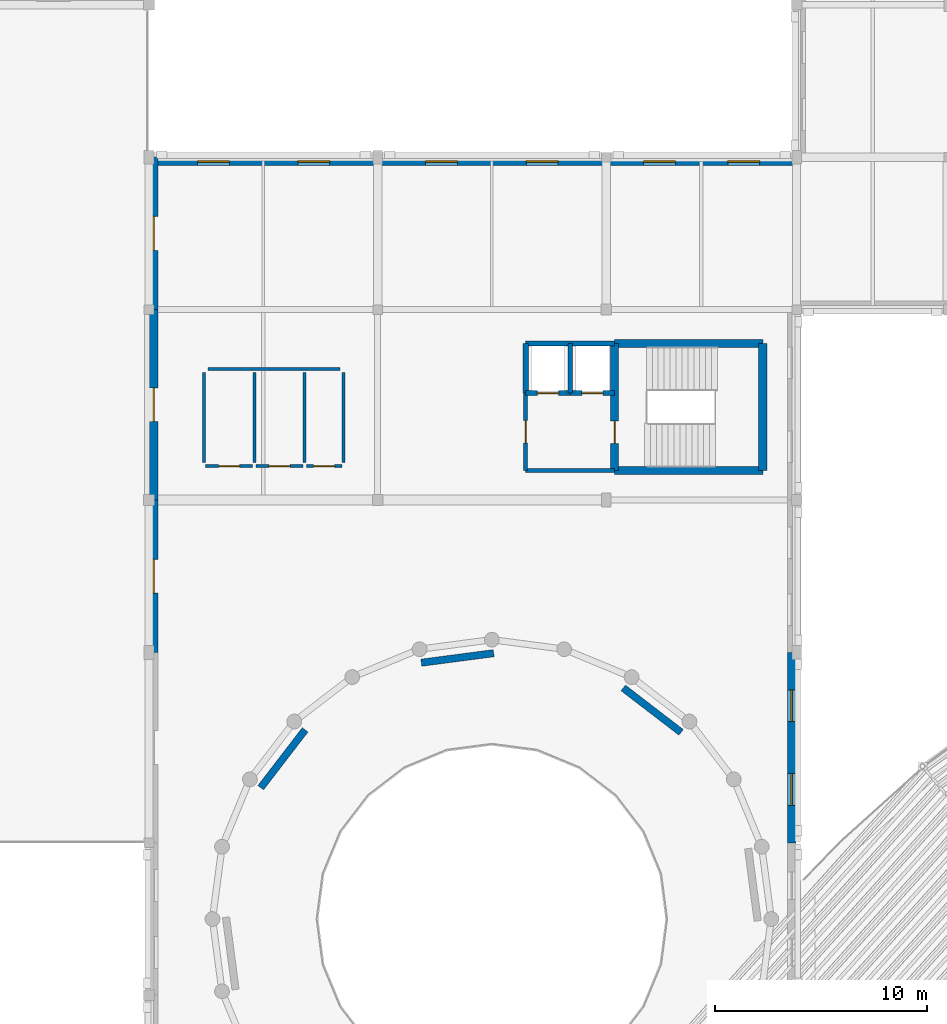
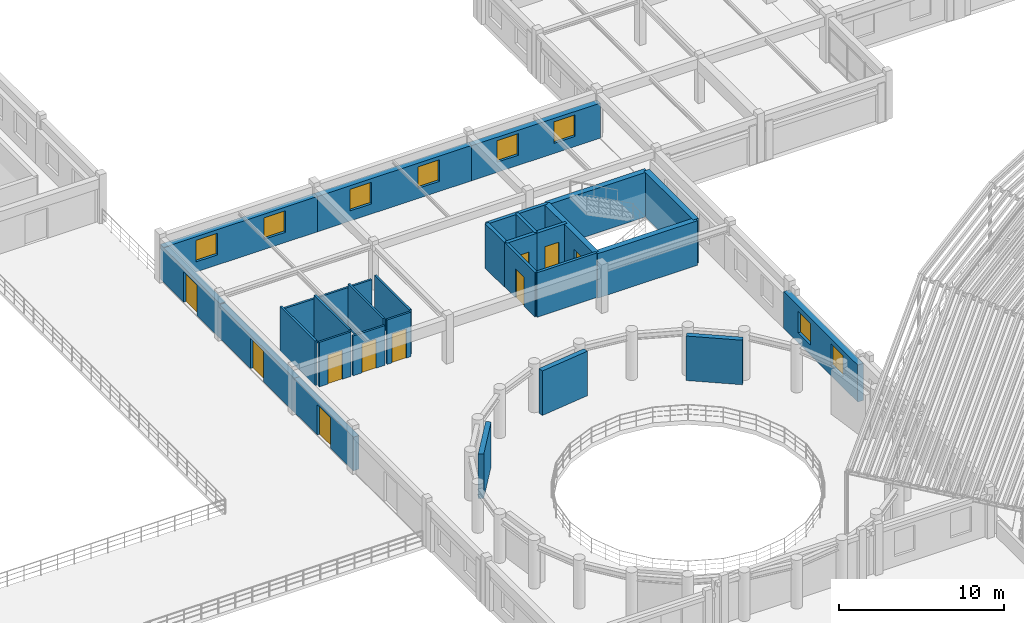
# One storey, part 52 of 74: 29 walls, 10 doors, 8 windows, 18 openings.
"""IFC4 building model written with IfcOpenShell, lengths in metres."""

from ifc_helpers import new_model, si_unit, direction, frame, frame_2d, origin, place, context, subcontext, project, spatial, rectangle, extrude, material, layer, layer_set, type_object, element, fill, save


model = new_model("IFC4")

# Units and contexts
model_context = context("Model", 3, precision=1e-05, world=origin(), true_north=direction((0.0, 1.0)))
body_context = subcontext(model_context, "Body", "Model", "MODEL_VIEW")
ifc_project = project(units=[si_unit("LENGTHUNIT", "METRE"), si_unit("AREAUNIT", "SQUARE_METRE"), si_unit("VOLUMEUNIT", "CUBIC_METRE"), si_unit("PLANEANGLEUNIT", "RADIAN"), si_unit("MASSUNIT", "GRAM", prefix="KILO")], contexts=[model_context])

# Site, building, storey
site_placement = place(None, origin())
site = spatial("IfcSite", under=ifc_project, at=site_placement, CompositionType="ELEMENT")
building_placement = place(site_placement, origin())
building = spatial("IfcBuilding", under=site, at=building_placement, Name="Clarverna Civic Hall", CompositionType="ELEMENT")
storey_placement = place(building_placement, frame((0.0, 0.0, 13.199951171875)))
storey = spatial("IfcBuildingStorey", under=building, at=storey_placement, Name="L03", CompositionType="ELEMENT", Elevation=13.199951171875)

# Wall, openings, windows
ifc_material_1 = material(Name="Montjuic Limestone Ashlar Cladding", Category="masonry")
ifc_layer_1 = layer(ifc_material_1, 0.39990234375)
ifc_layer_set_1 = layer_set([ifc_layer_1], Name="Montjuic Limestone Ashlar Cladding")
wall_type_1 = type_object("IfcWallType", Name="EW-02", PredefinedType="SOLIDWALL", material=ifc_layer_set_1)
wall_1_placement = place(storey_placement, frame((96.97509765625, 71.60009765625, 0.0), z_axis=(0.0, 0.0, 1.0), x_axis=(0.0, -1.0, 0.0)))
wall_1 = element("IfcWall", 1, at=wall_1_placement, inside=storey, type_object=wall_type_1, Name="EW-02-162", PredefinedType="SOLIDWALL", context=body_context, shape_type="SweptSolid", body=[
    extrude(rectangle(XDim=9.0, YDim=0.39990234375, at=frame_2d((4.5, 0.0))), origin(), (0.0, 0.0, 1.0), 2.739990234375),
])
opening_1_placement = place(wall_1_placement, frame((1.77001953125, 0.0, 0.75)))
opening_1 = element("IfcOpeningElement", 2, at=opening_1_placement, cuts=wall_1, Name="Opening WN-14", PredefinedType="OPENING", context=body_context, shape_type="SweptSolid", body=[
    extrude(rectangle(XDim=1.5, YDim=1.60009765625, at=frame_2d((0.75, 0.800048828125))), frame((0.0, 0.2099609375, 0.0), z_axis=(0.0, -1.0, 0.0), x_axis=(1.0, 0.0, 0.0)), (0.0, 0.0, 1.0), 0.419921875),
])
opening_2_placement = place(wall_1_placement, frame((5.72998046875, 0.0, 0.75)))
opening_2 = element("IfcOpeningElement", 3, at=opening_2_placement, cuts=wall_1, Name="Opening WN-14", PredefinedType="OPENING", context=body_context, shape_type="SweptSolid", body=[
    extrude(rectangle(XDim=1.5, YDim=1.60009765625, at=frame_2d((0.75, 0.800048828125))), frame((0.0, 0.2099609375, 0.0), z_axis=(0.0, -1.0, 0.0), x_axis=(1.0, 0.0, 0.0)), (0.0, 0.0, 1.0), 0.419921875),
])
ifc_material_2 = material(Name="Solar-Control Argon Low-E Double Glazing", Category="glass")
window_type = type_object("IfcWindowType", Name="WN-14", PartitioningType="DOUBLE_PANEL_HORIZONTAL", PredefinedType="WINDOW", material=ifc_material_2)
window_1_placement = place(opening_1_placement, origin())
window_1 = element("IfcWindow", 4, at=window_1_placement, inside=storey, type_object=window_type, Name="WN-14-142", OverallHeight=1.60009765625, OverallWidth=1.5, PartitioningType="DOUBLE_PANEL_HORIZONTAL", PredefinedType="WINDOW", context=body_context, shape_type="SweptSolid", body=[
    extrude(rectangle(XDim=1.5, YDim=1.60009765625, at=frame_2d((0.75, 0.800048828125))), frame((0.0, 0.030029296875, 0.0), z_axis=(0.0, -1.0, 0.0), x_axis=(1.0, 0.0, 0.0)), (0.0, 0.0, 1.0), 0.06005859375),
])
fill(opening_1, window_1)
window_2_placement = place(opening_2_placement, origin())
window_2 = element("IfcWindow", 5, at=window_2_placement, inside=storey, type_object=window_type, Name="WN-14-143", OverallHeight=1.60009765625, OverallWidth=1.5, PartitioningType="DOUBLE_PANEL_HORIZONTAL", PredefinedType="WINDOW", context=body_context, shape_type="SweptSolid", body=[
    extrude(rectangle(XDim=1.5, YDim=1.60009765625, at=frame_2d((0.75, 0.800048828125))), frame((0.0, 0.030029296875, 0.0), z_axis=(0.0, -1.0, 0.0), x_axis=(1.0, 0.0, 0.0)), (0.0, 0.0, 1.0), 0.06005859375),
])
fill(opening_2, window_2)

# Wall, opening, door
wall_2_placement = place(storey_placement, frame((66.824951171875, 71.60009765625, 0.0), z_axis=(0.0, 0.0, 1.0), x_axis=(0.0, 1.0, 0.0)))
wall_2 = element("IfcWall", 6, at=wall_2_placement, inside=storey, type_object=wall_type_1, Name="EW-02-171", PredefinedType="SOLIDWALL", context=body_context, shape_type="SweptSolid", body=[
    extrude(rectangle(XDim=7.199951171875, YDim=0.39990234375, at=frame_2d((3.60009765625, 0.0))), origin(), (0.0, 0.0, 1.0), 2.5),
])
opening_3_placement = place(wall_2_placement, frame((2.800048828125, 0.0, 0.0)))
opening_3 = element("IfcOpeningElement", 7, at=opening_3_placement, cuts=wall_2, Name="Opening ED-04", PredefinedType="OPENING", context=body_context, shape_type="SweptSolid", body=[
    extrude(rectangle(XDim=1.60009765625, YDim=2.25, at=frame_2d((0.800048828125, 1.125))), frame((0.0, 0.2099609375, 0.0), z_axis=(0.0, -1.0, 0.0), x_axis=(1.0, 0.0, 0.0)), (0.0, 0.0, 1.0), 0.419921875),
])
ifc_material_3 = material(Name="Anodised Bronze Glazed Door")
door_type_1 = type_object("IfcDoorType", Name="ED-04", OperationType="DOUBLE_DOOR_SINGLE_SWING", PredefinedType="DOOR", material=ifc_material_3)
door_1_placement = place(opening_3_placement, origin())
door_1 = element("IfcDoor", 8, at=door_1_placement, inside=storey, type_object=door_type_1, Name="ED-04-031", OperationType="DOUBLE_DOOR_SINGLE_SWING", OverallHeight=2.25, OverallWidth=1.60009765625, PredefinedType="DOOR", context=body_context, shape_type="SweptSolid", body=[
    extrude(rectangle(XDim=1.60009765625, YDim=2.25, at=frame_2d((0.800048828125, 1.125))), frame((0.0, 0.02490234375, 0.0), z_axis=(0.0, -1.0, 0.0), x_axis=(1.0, 0.0, 0.0)), (0.0, 0.0, 1.0), 0.050048828125),
])
fill(opening_3, door_1)

wall_3_placement = place(storey_placement, frame((66.824951171875, 78.800048828125, 0.0), z_axis=(0.0, 0.0, 1.0), x_axis=(0.0, 1.0, 0.0)))
wall_3 = element("IfcWall", 9, at=wall_3_placement, inside=storey, type_object=wall_type_1, Name="EW-02-172", PredefinedType="SOLIDWALL", context=body_context, shape_type="SweptSolid", body=[
    extrude(rectangle(XDim=9.0, YDim=0.39990234375, at=frame_2d((4.5, 0.0))), origin(), (0.0, 0.0, 1.0), 2.5),
])
opening_4_placement = place(wall_3_placement, frame((3.699951171875, 0.0, 0.0)))
opening_4 = element("IfcOpeningElement", 10, at=opening_4_placement, cuts=wall_3, Name="Opening ED-04", PredefinedType="OPENING", context=body_context, shape_type="SweptSolid", body=[
    extrude(rectangle(XDim=1.60009765625, YDim=2.25, at=frame_2d((0.800048828125, 1.125))), frame((0.0, 0.2099609375, 0.0), z_axis=(0.0, -1.0, 0.0), x_axis=(1.0, 0.0, 0.0)), (0.0, 0.0, 1.0), 0.419921875),
])
door_2_placement = place(opening_4_placement, origin())
door_2 = element("IfcDoor", 11, at=door_2_placement, inside=storey, type_object=door_type_1, Name="ED-04-032", OperationType="DOUBLE_DOOR_SINGLE_SWING", OverallHeight=2.25, OverallWidth=1.60009765625, PredefinedType="DOOR", context=body_context, shape_type="SweptSolid", body=[
    extrude(rectangle(XDim=1.60009765625, YDim=2.25, at=frame_2d((0.800048828125, 1.125))), frame((0.0, 0.02490234375, 0.0), z_axis=(0.0, -1.0, 0.0), x_axis=(1.0, 0.0, 0.0)), (0.0, 0.0, 1.0), 0.050048828125),
])
fill(opening_4, door_2)

wall_4_placement = place(storey_placement, frame((66.824951171875, 87.800048828125, 0.0), z_axis=(0.0, 0.0, 1.0), x_axis=(0.0, 1.0, 0.0)))
wall_4 = element("IfcWall", 12, at=wall_4_placement, inside=storey, type_object=wall_type_1, Name="EW-02-173", PredefinedType="SOLIDWALL", context=body_context, shape_type="SweptSolid", body=[
    extrude(rectangle(XDim=7.199951171875, YDim=0.39990234375, at=frame_2d((3.60009765625, 0.0))), origin(), (0.0, 0.0, 1.0), 2.580078125),
])
opening_5_placement = place(wall_4_placement, frame((2.800048828125, 0.0, 0.0)))
opening_5 = element("IfcOpeningElement", 13, at=opening_5_placement, cuts=wall_4, Name="Opening ED-04", PredefinedType="OPENING", context=body_context, shape_type="SweptSolid", body=[
    extrude(rectangle(XDim=1.60009765625, YDim=2.25, at=frame_2d((0.800048828125, 1.125))), frame((0.0, 0.2099609375, 0.0), z_axis=(0.0, -1.0, 0.0), x_axis=(1.0, 0.0, 0.0)), (0.0, 0.0, 1.0), 0.419921875),
])
door_3_placement = place(opening_5_placement, origin())
door_3 = element("IfcDoor", 14, at=door_3_placement, inside=storey, type_object=door_type_1, Name="ED-04-033", OperationType="DOUBLE_DOOR_SINGLE_SWING", OverallHeight=2.25, OverallWidth=1.60009765625, PredefinedType="DOOR", context=body_context, shape_type="SweptSolid", body=[
    extrude(rectangle(XDim=1.60009765625, YDim=2.25, at=frame_2d((0.800048828125, 1.125))), frame((0.0, 0.02490234375, 0.0), z_axis=(0.0, -1.0, 0.0), x_axis=(1.0, 0.0, 0.0)), (0.0, 0.0, 1.0), 0.050048828125),
])
fill(opening_5, door_3)

# Wall, openings, windows
wall_5_placement = place(storey_placement, frame((66.625, 94.800048828125, 0.0), z_axis=(0.0, 0.0, 1.0), x_axis=(1.0, 0.0, 0.0)))
wall_5 = element("IfcWall", 15, at=wall_5_placement, inside=storey, type_object=wall_type_1, Name="EW-02-174", PredefinedType="SOLIDWALL", context=body_context, shape_type="SweptSolid", body=[
    extrude(rectangle(XDim=10.77490234375, YDim=0.39990234375, at=frame_2d((5.387451171875, 0.0))), origin(), (0.0, 0.0, 1.0), 2.6201171875),
])
opening_6_placement = place(wall_5_placement, frame((2.26708984375, 0.0, 0.75)))
opening_6 = element("IfcOpeningElement", 16, at=opening_6_placement, cuts=wall_5, Name="Opening WN-14", PredefinedType="OPENING", context=body_context, shape_type="SweptSolid", body=[
    extrude(rectangle(XDim=1.5, YDim=1.60009765625, at=frame_2d((0.75, 0.800048828125))), frame((0.0, 0.2099609375, 0.0), z_axis=(0.0, -1.0, 0.0), x_axis=(1.0, 0.0, 0.0)), (0.0, 0.0, 1.0), 0.419921875),
])
opening_7_placement = place(wall_5_placement, frame((7.008056640625, 0.0, 0.75)))
opening_7 = element("IfcOpeningElement", 17, at=opening_7_placement, cuts=wall_5, Name="Opening WN-14", PredefinedType="OPENING", context=body_context, shape_type="SweptSolid", body=[
    extrude(rectangle(XDim=1.5, YDim=1.60009765625, at=frame_2d((0.75, 0.800048828125))), frame((0.0, 0.2099609375, 0.0), z_axis=(0.0, -1.0, 0.0), x_axis=(1.0, 0.0, 0.0)), (0.0, 0.0, 1.0), 0.419921875),
])
window_3_placement = place(opening_6_placement, origin())
window_3 = element("IfcWindow", 18, at=window_3_placement, inside=storey, type_object=window_type, Name="WN-14-150", OverallHeight=1.60009765625, OverallWidth=1.5, PartitioningType="DOUBLE_PANEL_HORIZONTAL", PredefinedType="WINDOW", context=body_context, shape_type="SweptSolid", body=[
    extrude(rectangle(XDim=1.5, YDim=1.60009765625, at=frame_2d((0.75, 0.800048828125))), frame((0.0, 0.030029296875, 0.0), z_axis=(0.0, -1.0, 0.0), x_axis=(1.0, 0.0, 0.0)), (0.0, 0.0, 1.0), 0.06005859375),
])
fill(opening_6, window_3)
window_4_placement = place(opening_7_placement, origin())
window_4 = element("IfcWindow", 19, at=window_4_placement, inside=storey, type_object=window_type, Name="WN-14-151", OverallHeight=1.60009765625, OverallWidth=1.5, PartitioningType="DOUBLE_PANEL_HORIZONTAL", PredefinedType="WINDOW", context=body_context, shape_type="SweptSolid", body=[
    extrude(rectangle(XDim=1.5, YDim=1.60009765625, at=frame_2d((0.75, 0.800048828125))), frame((0.0, 0.030029296875, 0.0), z_axis=(0.0, -1.0, 0.0), x_axis=(1.0, 0.0, 0.0)), (0.0, 0.0, 1.0), 0.06005859375),
])
fill(opening_7, window_4)

wall_6_placement = place(storey_placement, frame((77.39990234375, 94.800048828125, 0.0), z_axis=(0.0, 0.0, 1.0), x_axis=(1.0, 0.0, 0.0)))
wall_6 = element("IfcWall", 20, at=wall_6_placement, inside=storey, type_object=wall_type_1, Name="EW-02-175", PredefinedType="SOLIDWALL", context=body_context, shape_type="SweptSolid", body=[
    extrude(rectangle(XDim=10.800048828125, YDim=0.39990234375, at=frame_2d((5.39990234375, 0.0))), origin(), (0.0, 0.0, 1.0), 2.6201171875),
])
opening_8_placement = place(wall_6_placement, frame((2.27392578125, 0.0, 0.75)))
opening_8 = element("IfcOpeningElement", 21, at=opening_8_placement, cuts=wall_6, Name="Opening WN-14", PredefinedType="OPENING", context=body_context, shape_type="SweptSolid", body=[
    extrude(rectangle(XDim=1.5, YDim=1.60009765625, at=frame_2d((0.75, 0.800048828125))), frame((0.0, 0.2099609375, 0.0), z_axis=(0.0, -1.0, 0.0), x_axis=(1.0, 0.0, 0.0)), (0.0, 0.0, 1.0), 0.419921875),
])
opening_9_placement = place(wall_6_placement, frame((7.02587890625, 0.0, 0.75)))
opening_9 = element("IfcOpeningElement", 22, at=opening_9_placement, cuts=wall_6, Name="Opening WN-14", PredefinedType="OPENING", context=body_context, shape_type="SweptSolid", body=[
    extrude(rectangle(XDim=1.5, YDim=1.60009765625, at=frame_2d((0.75, 0.800048828125))), frame((0.0, 0.2099609375, 0.0), z_axis=(0.0, -1.0, 0.0), x_axis=(1.0, 0.0, 0.0)), (0.0, 0.0, 1.0), 0.419921875),
])
window_5_placement = place(opening_8_placement, origin())
window_5 = element("IfcWindow", 23, at=window_5_placement, inside=storey, type_object=window_type, Name="WN-14-152", OverallHeight=1.60009765625, OverallWidth=1.5, PartitioningType="DOUBLE_PANEL_HORIZONTAL", PredefinedType="WINDOW", context=body_context, shape_type="SweptSolid", body=[
    extrude(rectangle(XDim=1.5, YDim=1.60009765625, at=frame_2d((0.75, 0.800048828125))), frame((0.0, 0.030029296875, 0.0), z_axis=(0.0, -1.0, 0.0), x_axis=(1.0, 0.0, 0.0)), (0.0, 0.0, 1.0), 0.06005859375),
])
fill(opening_8, window_5)
window_6_placement = place(opening_9_placement, origin())
window_6 = element("IfcWindow", 24, at=window_6_placement, inside=storey, type_object=window_type, Name="WN-14-153", OverallHeight=1.60009765625, OverallWidth=1.5, PartitioningType="DOUBLE_PANEL_HORIZONTAL", PredefinedType="WINDOW", context=body_context, shape_type="SweptSolid", body=[
    extrude(rectangle(XDim=1.5, YDim=1.60009765625, at=frame_2d((0.75, 0.800048828125))), frame((0.0, 0.030029296875, 0.0), z_axis=(0.0, -1.0, 0.0), x_axis=(1.0, 0.0, 0.0)), (0.0, 0.0, 1.0), 0.06005859375),
])
fill(opening_9, window_6)

wall_7_placement = place(storey_placement, frame((88.199951171875, 94.800048828125, 0.0), z_axis=(0.0, 0.0, 1.0), x_axis=(1.0, 0.0, 0.0)))
wall_7 = element("IfcWall", 25, at=wall_7_placement, inside=storey, type_object=wall_type_1, Name="EW-02-176", PredefinedType="SOLIDWALL", context=body_context, shape_type="SweptSolid", body=[
    extrude(rectangle(XDim=9.025146484375, YDim=0.39990234375, at=frame_2d((4.5126953125, 0.0))), origin(), (0.0, 0.0, 1.0), 2.60009765625),
])
opening_10_placement = place(wall_7_placement, frame((1.777099609375, 0.0, 0.75)))
opening_10 = element("IfcOpeningElement", 26, at=opening_10_placement, cuts=wall_7, Name="Opening WN-14", PredefinedType="OPENING", context=body_context, shape_type="SweptSolid", body=[
    extrude(rectangle(XDim=1.5, YDim=1.60009765625, at=frame_2d((0.75, 0.800048828125))), frame((0.0, 0.2099609375, 0.0), z_axis=(0.0, -1.0, 0.0), x_axis=(1.0, 0.0, 0.0)), (0.0, 0.0, 1.0), 0.419921875),
])
opening_11_placement = place(wall_7_placement, frame((5.748046875, 0.0, 0.75)))
opening_11 = element("IfcOpeningElement", 27, at=opening_11_placement, cuts=wall_7, Name="Opening WN-14", PredefinedType="OPENING", context=body_context, shape_type="SweptSolid", body=[
    extrude(rectangle(XDim=1.5, YDim=1.60009765625, at=frame_2d((0.75, 0.800048828125))), frame((0.0, 0.2099609375, 0.0), z_axis=(0.0, -1.0, 0.0), x_axis=(1.0, 0.0, 0.0)), (0.0, 0.0, 1.0), 0.419921875),
])
window_7_placement = place(opening_10_placement, origin())
window_7 = element("IfcWindow", 28, at=window_7_placement, inside=storey, type_object=window_type, Name="WN-14-154", OverallHeight=1.60009765625, OverallWidth=1.5, PartitioningType="DOUBLE_PANEL_HORIZONTAL", PredefinedType="WINDOW", context=body_context, shape_type="SweptSolid", body=[
    extrude(rectangle(XDim=1.5, YDim=1.60009765625, at=frame_2d((0.75, 0.800048828125))), frame((0.0, 0.030029296875, 0.0), z_axis=(0.0, -1.0, 0.0), x_axis=(1.0, 0.0, 0.0)), (0.0, 0.0, 1.0), 0.06005859375),
])
fill(opening_10, window_7)
window_8_placement = place(opening_11_placement, origin())
window_8 = element("IfcWindow", 29, at=window_8_placement, inside=storey, type_object=window_type, Name="WN-14-155", OverallHeight=1.60009765625, OverallWidth=1.5, PartitioningType="DOUBLE_PANEL_HORIZONTAL", PredefinedType="WINDOW", context=body_context, shape_type="SweptSolid", body=[
    extrude(rectangle(XDim=1.5, YDim=1.60009765625, at=frame_2d((0.75, 0.800048828125))), frame((0.0, 0.030029296875, 0.0), z_axis=(0.0, -1.0, 0.0), x_axis=(1.0, 0.0, 0.0)), (0.0, 0.0, 1.0), 0.06005859375),
])
fill(opening_11, window_8)

# Walls
ifc_material_4 = material(Name="Ceramic Brick and Plaster Wet-Room Partition", Category="masonry")
ifc_layer_2 = layer(ifc_material_4, 0.139892578125)
ifc_layer_set_2 = layer_set([ifc_layer_2], Name="Ceramic Brick and Plaster Wet-Room Partition")
wall_type_2 = type_object("IfcWallType", Name="PW-02", PredefinedType="PARTITIONING", material=ifc_layer_set_2)
wall_8_placement = place(storey_placement, frame((69.3798828125, 85.0, 0.0), z_axis=(0.0, 0.0, 1.0), x_axis=(1.0, 0.0, 0.0)))
element("IfcWall", 30, at=wall_8_placement, inside=storey, type_object=wall_type_2, Name="PW-02-097", PredefinedType="PARTITIONING", context=body_context, shape_type="SweptSolid", body=[
    extrude(rectangle(XDim=6.240234375, YDim=0.139892578125, at=frame_2d((3.1201171875, 0.0))), origin(), (0.0, 0.0, 1.0), 2.93994140625),
])
for number, where, z_axis, x_axis, name in (
    (31, (69.199951171875, 80.580078125, 0.0), (0.0, 0.0, 1.0), (0.0, 1.0, 0.0), "PW-02-098"),
    (32, (75.800048828125, 80.580078125, 0.0), (0.0, 0.0, 1.0), (0.0, 1.0, 0.0), "PW-02-099"),
    (33, (71.575927734375, 80.580078125, 0.0), (0.0, 0.0, 1.0), (0.0, 1.0, 0.0), "PW-02-100"),
    (34, (73.951904296875, 80.580078125, 0.0), (0.0, 0.0, 1.0), (0.0, 1.0, 0.0), "PW-02-101"),
):
    element("IfcWall", number, at=place(storey_placement, frame(where, z_axis=z_axis, x_axis=x_axis)), inside=storey, type_object=wall_type_2, Name=name, PredefinedType="PARTITIONING", context=body_context, shape_type="SweptSolid", body=[
        extrude(rectangle(XDim=4.239990234375, YDim=0.139892578125, at=frame_2d((2.1201171875, 0.0))), origin(), (0.0, 0.0, 1.0), 3.300048828125),
    ])

# Wall, opening, door
wall_9_placement = place(storey_placement, frame((69.280029296875, 80.39990234375, 0.0), z_axis=(0.0, 0.0, 1.0), x_axis=(1.0, 0.0, 0.0)))
wall_9 = element("IfcWall", 35, at=wall_9_placement, inside=storey, type_object=wall_type_2, Name="PW-02-102", PredefinedType="PARTITIONING", context=body_context, shape_type="SweptSolid", body=[
    extrude(rectangle(XDim=2.216064453125, YDim=0.139892578125, at=frame_2d((1.10791015625, 0.0))), origin(), (0.0, 0.0, 1.0), 3.300048828125),
])
opening_12_placement = place(wall_9_placement, frame((0.60791015625, 0.0, 0.0)))
opening_12 = element("IfcOpeningElement", 36, at=opening_12_placement, cuts=wall_9, Name="Opening ID-02", PredefinedType="OPENING", context=body_context, shape_type="SweptSolid", body=[
    extrude(rectangle(XDim=1.0, YDim=2.14990234375, at=frame_2d((0.5, 1.074951171875))), frame((0.0, 0.079833984375, 0.0), z_axis=(0.0, -1.0, 0.0), x_axis=(1.0, 0.0, 0.0)), (0.0, 0.0, 1.0), 0.159912109375),
])
ifc_material_5 = material(Name="European Oak Veneered Acoustic Timber Door", Category="wood")
door_type_2 = type_object("IfcDoorType", Name="ID-02", OperationType="NOTDEFINED", PredefinedType="DOOR", material=ifc_material_5)
door_4_placement = place(opening_12_placement, origin())
door_4 = element("IfcDoor", 37, at=door_4_placement, inside=storey, type_object=door_type_2, Name="ID-02-037", OperationType="SINGLE_SWING_LEFT", OverallHeight=2.14990234375, OverallWidth=1.0, PredefinedType="DOOR", context=body_context, shape_type="SweptSolid", body=[
    extrude(rectangle(XDim=1.0, YDim=2.14990234375, at=frame_2d((0.5, 1.074951171875))), frame((0.0, 0.02490234375, 0.0), z_axis=(0.0, -1.0, 0.0), x_axis=(1.0, 0.0, 0.0)), (0.0, 0.0, 1.0), 0.050048828125),
])
fill(opening_12, door_4)

wall_10_placement = place(storey_placement, frame((71.656005859375, 80.39990234375, 0.0), z_axis=(0.0, 0.0, 1.0), x_axis=(1.0, 0.0, 0.0)))
wall_10 = element("IfcWall", 38, at=wall_10_placement, inside=storey, type_object=wall_type_2, Name="PW-02-103", PredefinedType="PARTITIONING", context=body_context, shape_type="SweptSolid", body=[
    extrude(rectangle(XDim=2.216064453125, YDim=0.139892578125, at=frame_2d((1.10791015625, 0.0))), origin(), (0.0, 0.0, 1.0), 2.93994140625),
])
opening_13_placement = place(wall_10_placement, frame((0.60791015625, 0.0, 0.0)))
opening_13 = element("IfcOpeningElement", 39, at=opening_13_placement, cuts=wall_10, Name="Opening ID-02", PredefinedType="OPENING", context=body_context, shape_type="SweptSolid", body=[
    extrude(rectangle(XDim=1.0, YDim=2.14990234375, at=frame_2d((0.5, 1.074951171875))), frame((0.0, 0.079833984375, 0.0), z_axis=(0.0, -1.0, 0.0), x_axis=(1.0, 0.0, 0.0)), (0.0, 0.0, 1.0), 0.159912109375),
])
door_5_placement = place(opening_13_placement, origin())
door_5 = element("IfcDoor", 40, at=door_5_placement, inside=storey, type_object=door_type_2, Name="ID-02-038", OperationType="SINGLE_SWING_RIGHT", OverallHeight=2.14990234375, OverallWidth=1.0, PredefinedType="DOOR", context=body_context, shape_type="SweptSolid", body=[
    extrude(rectangle(XDim=1.0, YDim=2.14990234375, at=frame_2d((0.5, 1.074951171875))), frame((0.0, 0.02490234375, 0.0), z_axis=(0.0, -1.0, 0.0), x_axis=(1.0, 0.0, 0.0)), (0.0, 0.0, 1.0), 0.050048828125),
])
fill(opening_13, door_5)

wall_11_placement = place(storey_placement, frame((74.031982421875, 80.39990234375, 0.0), z_axis=(0.0, 0.0, 1.0), x_axis=(1.0, 0.0, 0.0)))
wall_11 = element("IfcWall", 41, at=wall_11_placement, inside=storey, type_object=wall_type_2, Name="PW-02-104", PredefinedType="PARTITIONING", context=body_context, shape_type="SweptSolid", body=[
    extrude(rectangle(XDim=1.68798828125, YDim=0.139892578125, at=frame_2d((0.843994140625, 0.0))), origin(), (0.0, 0.0, 1.0), 3.300048828125),
])
opening_14_placement = place(wall_11_placement, frame((0.343994140625, 0.0, 0.0)))
opening_14 = element("IfcOpeningElement", 42, at=opening_14_placement, cuts=wall_11, Name="Opening ID-02", PredefinedType="OPENING", context=body_context, shape_type="SweptSolid", body=[
    extrude(rectangle(XDim=1.0, YDim=2.14990234375, at=frame_2d((0.5, 1.074951171875))), frame((0.0, 0.079833984375, 0.0), z_axis=(0.0, -1.0, 0.0), x_axis=(1.0, 0.0, 0.0)), (0.0, 0.0, 1.0), 0.159912109375),
])
door_6_placement = place(opening_14_placement, origin())
door_6 = element("IfcDoor", 43, at=door_6_placement, inside=storey, type_object=door_type_2, Name="ID-02-039", OperationType="SINGLE_SWING_LEFT", OverallHeight=2.14990234375, OverallWidth=1.0, PredefinedType="DOOR", context=body_context, shape_type="SweptSolid", body=[
    extrude(rectangle(XDim=1.0, YDim=2.14990234375, at=frame_2d((0.5, 1.074951171875))), frame((0.0, 0.02490234375, 0.0), z_axis=(0.0, -1.0, 0.0), x_axis=(1.0, 0.0, 0.0)), (0.0, 0.0, 1.0), 0.050048828125),
])
fill(opening_14, door_6)

ifc_material_6 = material(Name="Acoustic Gypsum Plasterboard on Twin Frame", Category="gypsum")
ifc_layer_3 = layer(ifc_material_6, 0.18994140625)
ifc_layer_set_3 = layer_set([ifc_layer_3], Name="Acoustic Gypsum Plasterboard on Twin Frame")
wall_type_3 = type_object("IfcWallType", Name="PW-06", PredefinedType="PARTITIONING", material=ifc_layer_set_3)
wall_12_placement = place(storey_placement, frame((84.39990234375, 80.199951171875, 0.0), z_axis=(0.0, 0.0, 1.0), x_axis=(0.0, 1.0, 0.0)))
wall_12 = element("IfcWall", 44, at=wall_12_placement, inside=storey, type_object=wall_type_3, Name="PW-06-045", PredefinedType="PARTITIONING", context=body_context, shape_type="SweptSolid", body=[
    extrude(rectangle(XDim=3.650146484375, YDim=0.18994140625, at=frame_2d((1.8251953125, 0.0))), origin(), (0.0, 0.0, 1.0), 3.300048828125),
])
opening_15_placement = place(wall_12_placement, frame((1.300048828125, 0.0, 0.0)))
opening_15 = element("IfcOpeningElement", 45, at=opening_15_placement, cuts=wall_12, Name="Opening FD-02", PredefinedType="OPENING", context=body_context, shape_type="SweptSolid", body=[
    extrude(rectangle(XDim=1.050048828125, YDim=2.14990234375, at=frame_2d((0.52490234375, 1.074951171875))), frame((0.0, 0.10498046875, 0.0), z_axis=(0.0, -1.0, 0.0), x_axis=(1.0, 0.0, 0.0)), (0.0, 0.0, 1.0), 0.2099609375),
])
ifc_material_7 = material(Name="Acoustic Timber-Faced Fire Door", Category="wood")
door_type_3 = type_object("IfcDoorType", Name="FD-02", OperationType="NOTDEFINED", PredefinedType="DOOR", material=ifc_material_7)
door_7_placement = place(opening_15_placement, origin())
door_7 = element("IfcDoor", 46, at=door_7_placement, inside=storey, type_object=door_type_3, Name="FD-02-043", OperationType="SINGLE_SWING_RIGHT", OverallHeight=2.14990234375, OverallWidth=1.050048828125, PredefinedType="DOOR", context=body_context, shape_type="SweptSolid", body=[
    extrude(rectangle(XDim=1.050048828125, YDim=2.14990234375, at=frame_2d((0.52490234375, 1.074951171875))), frame((0.0, 0.02490234375, 0.0), z_axis=(0.0, -1.0, 0.0), x_axis=(1.0, 0.0, 0.0)), (0.0, 0.0, 1.0), 0.050048828125),
])
fill(opening_15, door_7)

# Wall
wall_13_placement = place(storey_placement, frame((84.39990234375, 80.199951171875, 0.0), z_axis=(0.0, 0.0, 1.0), x_axis=(1.0, 0.0, 0.0)))
element("IfcWall", 47, at=wall_13_placement, inside=storey, type_object=wall_type_3, Name="PW-06-046", PredefinedType="PARTITIONING", context=body_context, shape_type="SweptSolid", body=[
    extrude(rectangle(XDim=4.2001953125, YDim=0.18994140625, at=frame_2d((2.10009765625, 0.0))), origin(), (0.0, 0.0, 1.0), 3.300048828125),
])

# Wall, opening, door
ifc_material_8 = material(Name="Concrete C35/45", Category="concrete")
ifc_layer_4 = layer(ifc_material_8, 0.3798828125)
ifc_layer_set_4 = layer_set([ifc_layer_4], Name="Concrete C35/45")
wall_type_4 = type_object("IfcWallType", Name="SW-01", PredefinedType="SHEAR", material=ifc_layer_set_4)
wall_14_placement = place(storey_placement, frame((88.60009765625, 80.199951171875, 0.0), z_axis=(0.0, 0.0, 1.0), x_axis=(0.0, 1.0, 0.0)))
wall_14 = element("IfcWall", 48, at=wall_14_placement, inside=storey, type_object=wall_type_4, Name="SW-01-199", PredefinedType="SHEAR", context=body_context, shape_type="SweptSolid", body=[
    extrude(rectangle(XDim=6.0, YDim=0.3798828125, at=frame_2d((3.0, 0.0))), origin(), (0.0, 0.0, 1.0), 3.300048828125),
])
opening_16_placement = place(wall_14_placement, frame((1.27490234375, 0.0, 0.0)))
opening_16 = element("IfcOpeningElement", 49, at=opening_16_placement, cuts=wall_14, Name="Opening FD-02", PredefinedType="OPENING", context=body_context, shape_type="SweptSolid", body=[
    extrude(rectangle(XDim=1.050048828125, YDim=2.14990234375, at=frame_2d((0.52490234375, 1.074951171875))), frame((0.0, 0.199951171875, 0.0), z_axis=(0.0, -1.0, 0.0), x_axis=(1.0, 0.0, 0.0)), (0.0, 0.0, 1.0), 0.39990234375),
])
door_8_placement = place(opening_16_placement, origin())
door_8 = element("IfcDoor", 50, at=door_8_placement, inside=storey, type_object=door_type_3, Name="FD-02-042", OperationType="SINGLE_SWING_LEFT", OverallHeight=2.14990234375, OverallWidth=1.050048828125, PredefinedType="DOOR", context=body_context, shape_type="SweptSolid", body=[
    extrude(rectangle(XDim=1.050048828125, YDim=2.14990234375, at=frame_2d((0.52490234375, 1.074951171875))), frame((0.0, 0.02490234375, 0.0), z_axis=(0.0, -1.0, 0.0), x_axis=(1.0, 0.0, 0.0)), (0.0, 0.0, 1.0), 0.050048828125),
])
fill(opening_16, door_8)

# Walls
wall_15_placement = place(storey_placement, frame((95.60009765625, 80.199951171875, 0.0), z_axis=(0.0, 0.0, 1.0), x_axis=(0.0, 1.0, 0.0)))
element("IfcWall", 51, at=wall_15_placement, inside=storey, type_object=wall_type_4, Name="SW-01-200", PredefinedType="SHEAR", context=body_context, shape_type="SweptSolid", body=[
    extrude(rectangle(XDim=6.0, YDim=0.3798828125, at=frame_2d((3.0, 0.0))), origin(), (0.0, 0.0, 1.0), 3.300048828125),
])
for number, where, z_axis, x_axis, name in (
    (52, (88.60009765625, 80.199951171875, 0.0), (0.0, 0.0, 1.0), (1.0, 0.0, 0.0), "SW-01-201"),
    (53, (88.60009765625, 86.199951171875, 0.0), (0.0, 0.0, 1.0), (1.0, 0.0, 0.0), "SW-01-202"),
):
    element("IfcWall", number, at=place(storey_placement, frame(where, z_axis=z_axis, x_axis=x_axis)), inside=storey, type_object=wall_type_4, Name=name, PredefinedType="SHEAR", context=body_context, shape_type="SweptSolid", body=[
        extrude(rectangle(XDim=7.0, YDim=0.3798828125, at=frame_2d((3.5, 0.0))), origin(), (0.0, 0.0, 1.0), 3.300048828125),
    ])
wall_16_placement = place(storey_placement, frame((84.39990234375, 86.199951171875, 0.0), z_axis=(0.0, 0.0, 1.0), x_axis=(1.0, 0.0, 0.0)))
element("IfcWall", 54, at=wall_16_placement, inside=storey, type_object=wall_type_4, Name="SW-01-203", PredefinedType="SHEAR", context=body_context, shape_type="SweptSolid", body=[
    extrude(rectangle(XDim=4.2001953125, YDim=0.239990234375, at=frame_2d((2.10009765625, 0.0))), origin(), (0.0, 0.0, 1.0), 3.300048828125),
])
wall_17_placement = place(storey_placement, frame((84.39990234375, 83.85009765625, 0.0), z_axis=(0.0, 0.0, 1.0), x_axis=(0.0, 1.0, 0.0)))
element("IfcWall", 55, at=wall_17_placement, inside=storey, type_object=wall_type_4, Name="SW-01-204", PredefinedType="SHEAR", context=body_context, shape_type="SweptSolid", body=[
    extrude(rectangle(XDim=2.349853515625, YDim=0.239990234375, at=frame_2d((1.1748046875, 0.0))), origin(), (0.0, 0.0, 1.0), 3.300048828125),
])
wall_18_placement = place(storey_placement, frame((86.5, 83.85009765625, 0.0), z_axis=(0.0, 0.0, 1.0), x_axis=(0.0, 1.0, 0.0)))
element("IfcWall", 56, at=wall_18_placement, inside=storey, type_object=wall_type_4, Name="SW-01-205", PredefinedType="SHEAR", context=body_context, shape_type="SweptSolid", body=[
    extrude(rectangle(XDim=2.349853515625, YDim=0.199951171875, at=frame_2d((1.1748046875, 0.0))), origin(), (0.0, 0.0, 1.0), 3.300048828125),
])

# Wall, opening, door
wall_19_placement = place(storey_placement, frame((84.39990234375, 83.85009765625, 0.0), z_axis=(0.0, 0.0, 1.0), x_axis=(1.0, 0.0, 0.0)))
wall_19 = element("IfcWall", 57, at=wall_19_placement, inside=storey, type_object=wall_type_4, Name="SW-01-206", PredefinedType="SHEAR", context=body_context, shape_type="SweptSolid", body=[
    extrude(rectangle(XDim=2.10009765625, YDim=0.239990234375, at=frame_2d((1.050048828125, 0.0))), origin(), (0.0, 0.0, 1.0), 3.300048828125),
])
opening_17_placement = place(wall_19_placement, frame((0.550048828125, 0.0, 0.0)))
opening_17 = element("IfcOpeningElement", 58, at=opening_17_placement, cuts=wall_19, Name="Opening LD-01", PredefinedType="OPENING", context=body_context, shape_type="SweptSolid", body=[
    extrude(rectangle(XDim=1.0, YDim=2.10009765625, at=frame_2d((0.5, 1.050048828125))), frame((0.0, 0.1298828125, 0.0), z_axis=(0.0, -1.0, 0.0), x_axis=(1.0, 0.0, 0.0)), (0.0, 0.0, 1.0), 0.260009765625),
])
ifc_material_9 = material(Name="Brushed Bronze Stainless Lift Landing Door")
door_type_4 = type_object("IfcDoorType", Name="LD-01", OperationType="SLIDING_TO_LEFT", PredefinedType="DOOR", material=ifc_material_9)
door_9_placement = place(opening_17_placement, origin())
door_9 = element("IfcDoor", 59, at=door_9_placement, inside=storey, type_object=door_type_4, Name="LD-01-045", OperationType="SLIDING_TO_LEFT", OverallHeight=2.10009765625, OverallWidth=1.0, PredefinedType="DOOR", context=body_context, shape_type="SweptSolid", body=[
    extrude(rectangle(XDim=1.0, YDim=2.10009765625, at=frame_2d((0.5, 1.050048828125))), frame((0.0, 0.02490234375, 0.0), z_axis=(0.0, -1.0, 0.0), x_axis=(1.0, 0.0, 0.0)), (0.0, 0.0, 1.0), 0.050048828125),
])
fill(opening_17, door_9)

wall_20_placement = place(storey_placement, frame((86.5, 83.85009765625, 0.0), z_axis=(0.0, 0.0, 1.0), x_axis=(1.0, 0.0, 0.0)))
wall_20 = element("IfcWall", 60, at=wall_20_placement, inside=storey, type_object=wall_type_4, Name="SW-01-207", PredefinedType="SHEAR", context=body_context, shape_type="SweptSolid", body=[
    extrude(rectangle(XDim=2.10009765625, YDim=0.239990234375, at=frame_2d((1.050048828125, 0.0))), origin(), (0.0, 0.0, 1.0), 3.300048828125),
])
opening_18_placement = place(wall_20_placement, frame((0.550048828125, 0.0, 0.0)))
opening_18 = element("IfcOpeningElement", 61, at=opening_18_placement, cuts=wall_20, Name="Opening LD-01", PredefinedType="OPENING", context=body_context, shape_type="SweptSolid", body=[
    extrude(rectangle(XDim=1.0, YDim=2.10009765625, at=frame_2d((0.5, 1.050048828125))), frame((0.0, 0.1298828125, 0.0), z_axis=(0.0, -1.0, 0.0), x_axis=(1.0, 0.0, 0.0)), (0.0, 0.0, 1.0), 0.260009765625),
])
door_10_placement = place(opening_18_placement, origin())
door_10 = element("IfcDoor", 62, at=door_10_placement, inside=storey, type_object=door_type_4, Name="LD-01-046", OperationType="SLIDING_TO_LEFT", OverallHeight=2.10009765625, OverallWidth=1.0, PredefinedType="DOOR", context=body_context, shape_type="SweptSolid", body=[
    extrude(rectangle(XDim=1.0, YDim=2.10009765625, at=frame_2d((0.5, 1.050048828125))), frame((0.0, 0.02490234375, 0.0), z_axis=(0.0, -1.0, 0.0), x_axis=(1.0, 0.0, 0.0)), (0.0, 0.0, 1.0), 0.050048828125),
])
fill(opening_18, door_10)

# Walls
ifc_layer_5 = layer(ifc_material_8, 0.340087890625)
ifc_layer_set_5 = layer_set([ifc_layer_5], Name="Concrete C35/45")
wall_type_5 = type_object("IfcWallType", Name="SW-02", PredefinedType="SHEAR", material=ifc_layer_set_5)
for number, where, z_axis, x_axis, name in (
    (63, (91.741455078125, 67.822509765625, 0.0), (0.0, 0.0, 1.0), (-0.79334513726, 0.608772119258, 0.0), "SW-02-009"),
    (64, (82.884033203125, 71.56103515625, 0.0), (0.0, 0.0, 1.0), (-0.991446817928, -0.130511329852, 0.0), "SW-02-010"),
    (65, (73.9775390625, 67.94140625, 0.0), (0.0, 0.0, 1.0), (-0.608772119258, -0.79334513726, 0.0), "SW-02-011"),
):
    element("IfcWall", number, at=place(storey_placement, frame(where, z_axis=z_axis, x_axis=x_axis)), inside=storey, type_object=wall_type_5, Name=name, PredefinedType="SHEAR", context=body_context, shape_type="SweptSolid", body=[
        extrude(rectangle(XDim=3.44580078125, YDim=0.340087890625, at=frame_2d((1.722900390625, 0.0))), origin(), (0.0, 0.0, 1.0), 3.300048828125),
    ])

save(model, "model.ifc")
